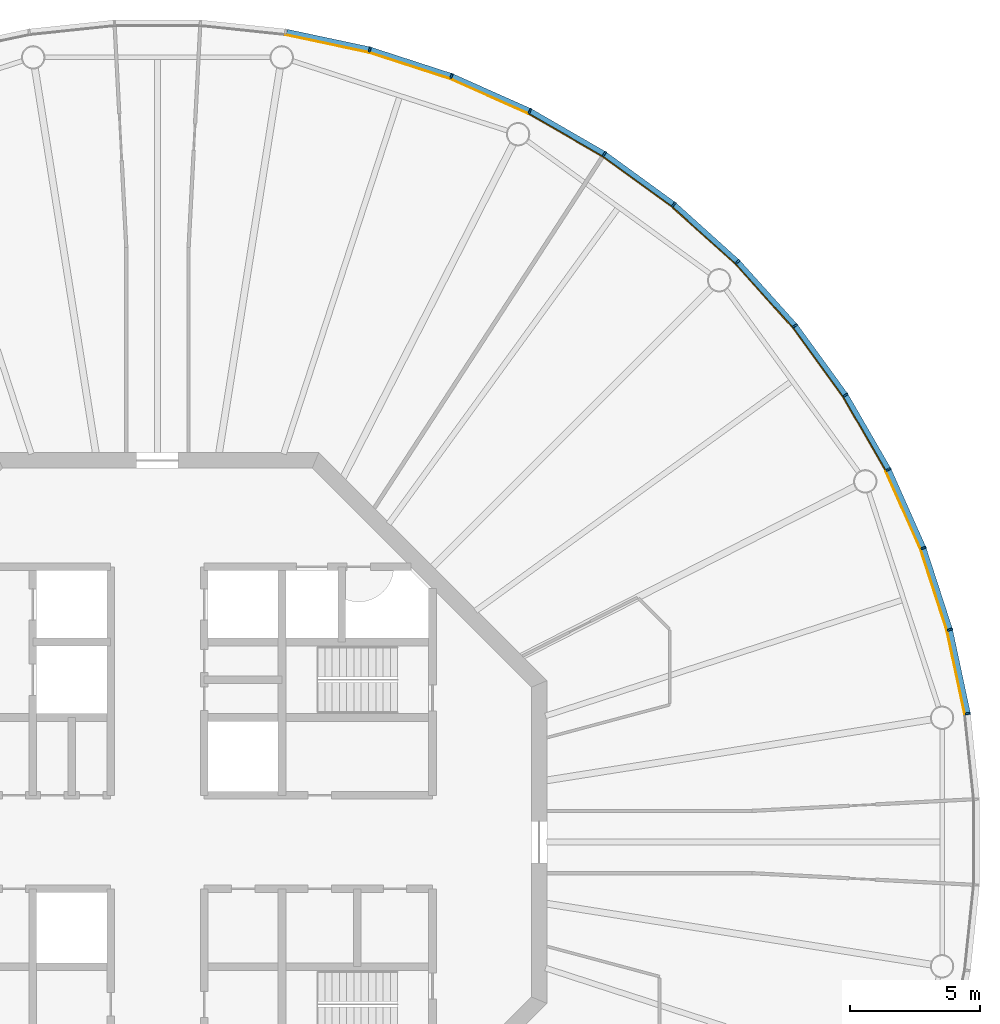
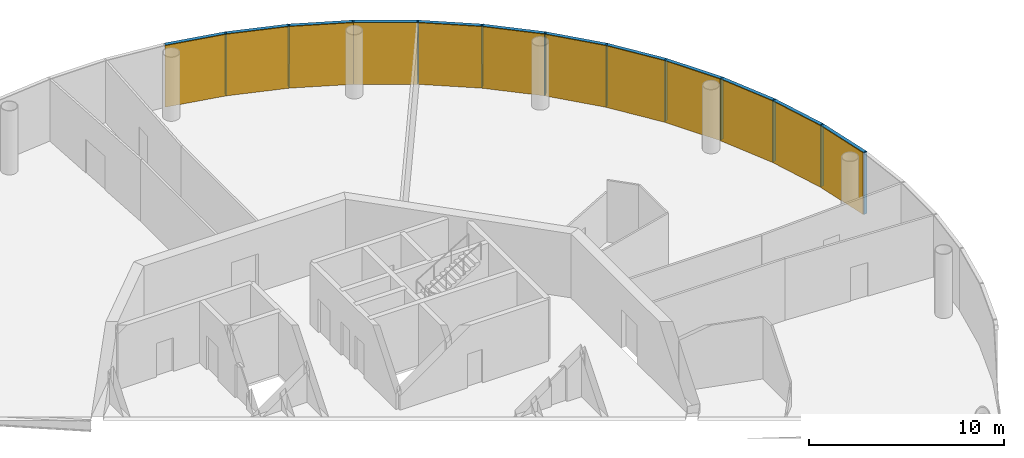
# One storey, part 12 of 13: 24 members, 4 curtain walls.
"""IFC4 building model written with IfcOpenShell, lengths in metres."""

from ifc_helpers import new_model, si_unit, direction, frame, origin, origin_2d, place, context, subcontext, project, spatial, polyline, rectangle, outline, extrude, material, layer, layer_set, material_profile, profile_set, type_object, element, aggregate, save


model = new_model("IFC4")

# Units and contexts
model_context = context("Model", 3, precision=1e-05, world=origin(), true_north=direction((0.0, 1.0)))
body_context = subcontext(model_context, "Body", "Model", "MODEL_VIEW")
ifc_project = project(units=[si_unit("LENGTHUNIT", "METRE"), si_unit("AREAUNIT", "SQUARE_METRE"), si_unit("VOLUMEUNIT", "CUBIC_METRE"), si_unit("PLANEANGLEUNIT", "RADIAN"), si_unit("MASSUNIT", "GRAM", prefix="KILO")], contexts=[model_context])

# Member
ifc_material_1 = material(Name="Anodised aluminium", Category="aluminium")
ifc_material_profile_1 = material_profile(ifc_material_1, rectangle(XDim=0.070068359375, YDim=0.205078125, at=origin_2d()), Name="Mullion 70 x 205 mm anodised aluminium")
ifc_profile_set_1 = profile_set([ifc_material_profile_1], Name="Anodised aluminium")
member_type_1 = type_object("IfcMemberType", Name="Mullion 70 x 205 mm anodised aluminium", PredefinedType="MULLION", material=ifc_profile_set_1)
site_placement = place(None, origin())
building_placement = place(site_placement, origin())
storey_placement = place(building_placement, frame((0.0, 0.0, 348.0)))
member_1_placement = place(storey_placement, frame((121.21337890625, 84.943603515625, 0.0), z_axis=(0.0, 0.0, 1.0), x_axis=(-0.15643446504, 0.987688340595, 0.0)))
member_1 = element("IfcMember", 1, at=member_1_placement, type_object=member_type_1, Name="MULLION L80-00", PredefinedType="MULLION", context=body_context, shape_type="SweptSolid", body=[
    extrude(rectangle(XDim=0.070068359375, YDim=0.205078125, at=origin_2d()), origin(), (0.0, 0.0, 1.0), 3.85009765625),
])

member_2_placement = place(storey_placement, frame((120.525634765625, 88.179443359375, 0.0), z_axis=(0.0, 0.0, 1.0), x_axis=(-0.258819045103, 0.965925826289, 0.0)))
member_2 = element("IfcMember", 2, at=member_2_placement, type_object=member_type_1, Name="MULLION L80-01", PredefinedType="MULLION", context=body_context, shape_type="SweptSolid", body=[
    extrude(rectangle(XDim=0.070068359375, YDim=0.205078125, at=origin_2d()), origin(), (0.0, 0.0, 1.0), 3.85009765625),
])

member_3_placement = place(storey_placement, frame((119.50341796875, 91.325439453125, 0.0), z_axis=(0.0, 0.0, 1.0), x_axis=(-0.358367949545, 0.933580426497, 0.0)))
member_3 = element("IfcMember", 3, at=member_3_placement, type_object=member_type_1, Name="MULLION L80-02", PredefinedType="MULLION", context=body_context, shape_type="SweptSolid", body=[
    extrude(rectangle(XDim=0.070068359375, YDim=0.205078125, at=origin_2d()), origin(), (0.0, 0.0, 1.0), 3.85009765625),
])

member_4_placement = place(storey_placement, frame((118.157958984375, 94.34716796875, 0.0), z_axis=(0.0, 0.0, 1.0), x_axis=(-0.45399049974, 0.891006524188, 0.0)))
member_4 = element("IfcMember", 4, at=member_4_placement, type_object=member_type_1, Name="MULLION L80-03", PredefinedType="MULLION", context=body_context, shape_type="SweptSolid", body=[
    extrude(rectangle(XDim=0.070068359375, YDim=0.205078125, at=origin_2d()), origin(), (0.0, 0.0, 1.0), 3.85009765625),
])

member_5_placement = place(storey_placement, frame((116.504150390625, 97.2119140625, 0.0), z_axis=(0.0, 0.0, 1.0), x_axis=(-0.544639035015, 0.838670567945, 0.0)))
member_5 = element("IfcMember", 5, at=member_5_placement, type_object=member_type_1, Name="MULLION L80-04", PredefinedType="MULLION", context=body_context, shape_type="SweptSolid", body=[
    extrude(rectangle(XDim=0.070068359375, YDim=0.205078125, at=origin_2d()), origin(), (0.0, 0.0, 1.0), 3.85009765625),
])

member_6_placement = place(storey_placement, frame((114.559814453125, 99.88818359375, 0.0), z_axis=(0.0, 0.0, 1.0), x_axis=(-0.62932039105, 0.777145961457, 0.0)))
member_6 = element("IfcMember", 6, at=member_6_placement, type_object=member_type_1, Name="MULLION L80-05", PredefinedType="MULLION", context=body_context, shape_type="SweptSolid", body=[
    extrude(rectangle(XDim=0.070068359375, YDim=0.205078125, at=origin_2d()), origin(), (0.0, 0.0, 1.0), 3.85009765625),
])

member_7_placement = place(storey_placement, frame((112.346435546875, 102.346435546875, 0.0), z_axis=(0.0, 0.0, 1.0), x_axis=(-0.707106781187, 0.707106781187, 0.0)))
member_7 = element("IfcMember", 7, at=member_7_placement, type_object=member_type_1, Name="MULLION L80-06", PredefinedType="MULLION", context=body_context, shape_type="SweptSolid", body=[
    extrude(rectangle(XDim=0.070068359375, YDim=0.205078125, at=origin_2d()), origin(), (0.0, 0.0, 1.0), 3.85009765625),
])

member_8_placement = place(storey_placement, frame((109.88818359375, 104.559814453125, 0.0), z_axis=(0.0, 0.0, 1.0), x_axis=(-0.777145961457, 0.62932039105, 0.0)))
member_8 = element("IfcMember", 8, at=member_8_placement, type_object=member_type_1, Name="MULLION L80-07", PredefinedType="MULLION", context=body_context, shape_type="SweptSolid", body=[
    extrude(rectangle(XDim=0.070068359375, YDim=0.205078125, at=origin_2d()), origin(), (0.0, 0.0, 1.0), 3.85009765625),
])

member_9_placement = place(storey_placement, frame((107.2119140625, 106.504150390625, 0.0), z_axis=(0.0, 0.0, 1.0), x_axis=(-0.838670567945, 0.544639035015, 0.0)))
member_9 = element("IfcMember", 9, at=member_9_placement, type_object=member_type_1, Name="MULLION L80-08", PredefinedType="MULLION", context=body_context, shape_type="SweptSolid", body=[
    extrude(rectangle(XDim=0.070068359375, YDim=0.205078125, at=origin_2d()), origin(), (0.0, 0.0, 1.0), 3.85009765625),
])

member_10_placement = place(storey_placement, frame((104.34716796875, 108.157958984375, 0.0), z_axis=(0.0, 0.0, 1.0), x_axis=(-0.891006524188, 0.45399049974, 0.0)))
member_10 = element("IfcMember", 10, at=member_10_placement, type_object=member_type_1, Name="MULLION L80-09", PredefinedType="MULLION", context=body_context, shape_type="SweptSolid", body=[
    extrude(rectangle(XDim=0.070068359375, YDim=0.205078125, at=origin_2d()), origin(), (0.0, 0.0, 1.0), 3.85009765625),
])

member_11_placement = place(storey_placement, frame((101.325439453125, 109.50341796875, 0.0), z_axis=(0.0, 0.0, 1.0), x_axis=(-0.933580426497, 0.358367949545, 0.0)))
member_11 = element("IfcMember", 11, at=member_11_placement, type_object=member_type_1, Name="MULLION L80-10", PredefinedType="MULLION", context=body_context, shape_type="SweptSolid", body=[
    extrude(rectangle(XDim=0.070068359375, YDim=0.205078125, at=origin_2d()), origin(), (0.0, 0.0, 1.0), 3.85009765625),
])

member_12_placement = place(storey_placement, frame((98.179443359375, 110.525634765625, 0.0), z_axis=(0.0, 0.0, 1.0), x_axis=(-0.965925826289, 0.258819045103, 0.0)))
member_12 = element("IfcMember", 12, at=member_12_placement, type_object=member_type_1, Name="MULLION L80-11", PredefinedType="MULLION", context=body_context, shape_type="SweptSolid", body=[
    extrude(rectangle(XDim=0.070068359375, YDim=0.205078125, at=origin_2d()), origin(), (0.0, 0.0, 1.0), 3.85009765625),
])

ifc_material_2 = material(Name="Anodised aluminium", Category="aluminium")
ifc_material_profile_2 = material_profile(ifc_material_2, rectangle(XDim=0.205078125, YDim=0.195068359375, at=origin_2d()), Name="Transom 195 x 205 mm anodised aluminium")
ifc_profile_set_2 = profile_set([ifc_material_profile_2], Name="Anodised aluminium")
member_type_2 = type_object("IfcMemberType", Name="Transom 195 x 205 mm anodised aluminium", PredefinedType="USERDEFINED", material=ifc_profile_set_2)
member_13_placement = place(storey_placement, frame((121.205078125, 84.983154296875, 3.75244140625), z_axis=(-0.207885898771, 0.978153082647, 0.0), x_axis=(-0.978153082647, -0.207885898771, 0.0)))
member_13 = element("IfcMember", 13, at=member_13_placement, type_object=member_type_2, Name="TRANSOM L80-00", ObjectType="TRANSOM", PredefinedType="USERDEFINED", context=body_context, shape_type="SweptSolid", body=[
    extrude(rectangle(XDim=0.205078125, YDim=0.195068359375, at=origin_2d()), origin(), (0.0, 0.0, 1.0), 3.227294921875),
])

member_14_placement = place(storey_placement, frame((120.513427734375, 88.2177734375, 3.75244140625), z_axis=(-0.309046726844, 0.951046855117, 0.0), x_axis=(-0.951046855117, -0.309046726844, 0.0)))
member_14 = element("IfcMember", 14, at=member_14_placement, type_object=member_type_2, Name="TRANSOM L80-01", ObjectType="TRANSOM", PredefinedType="USERDEFINED", context=body_context, shape_type="SweptSolid", body=[
    extrude(rectangle(XDim=0.205078125, YDim=0.195068359375, at=origin_2d()), origin(), (0.0, 0.0, 1.0), 3.22705078125),
])

member_15_placement = place(storey_placement, frame((119.4873046875, 91.3623046875, 3.75244140625), z_axis=(-0.406791170024, 0.913521178731, 0.0), x_axis=(-0.913521178731, -0.406791170024, 0.0)))
member_15 = element("IfcMember", 15, at=member_15_placement, type_object=member_type_2, Name="TRANSOM L80-02", ObjectType="TRANSOM", PredefinedType="USERDEFINED", context=body_context, shape_type="SweptSolid", body=[
    extrude(rectangle(XDim=0.205078125, YDim=0.195068359375, at=origin_2d()), origin(), (0.0, 0.0, 1.0), 3.22705078125),
])

member_16_placement = place(storey_placement, frame((118.137939453125, 94.38232421875, 3.75244140625), z_axis=(-0.500004055213, 0.866023062494, 0.0), x_axis=(-0.866023062494, -0.500004055213, 0.0)))
member_16 = element("IfcMember", 16, at=member_16_placement, type_object=member_type_2, Name="TRANSOM L80-03", ObjectType="TRANSOM", PredefinedType="USERDEFINED", context=body_context, shape_type="SweptSolid", body=[
    extrude(rectangle(XDim=0.205078125, YDim=0.195068359375, at=origin_2d()), origin(), (0.0, 0.0, 1.0), 3.22705078125),
])

member_17_placement = place(storey_placement, frame((116.48046875, 97.24462890625, 3.75244140625), z_axis=(-0.587802790201, 0.809004252048, 0.0), x_axis=(-0.809004252048, -0.587802790201, 0.0)))
member_17 = element("IfcMember", 17, at=member_17_placement, type_object=member_type_2, Name="TRANSOM L80-04", ObjectType="TRANSOM", PredefinedType="USERDEFINED", context=body_context, shape_type="SweptSolid", body=[
    extrude(rectangle(XDim=0.205078125, YDim=0.195068359375, at=origin_2d()), origin(), (0.0, 0.0, 1.0), 3.227294921875),
])

member_18_placement = place(storey_placement, frame((114.532958984375, 99.918212890625, 3.75244140625), z_axis=(-0.669144438484, 0.743132370743, 0.0), x_axis=(-0.743132370743, -0.669144438484, 0.0)))
member_18 = element("IfcMember", 18, at=member_18_placement, type_object=member_type_2, Name="TRANSOM L80-05", ObjectType="TRANSOM", PredefinedType="USERDEFINED", context=body_context, shape_type="SweptSolid", body=[
    extrude(rectangle(XDim=0.205078125, YDim=0.195068359375, at=origin_2d()), origin(), (0.0, 0.0, 1.0), 3.22705078125),
])

member_19_placement = place(storey_placement, frame((112.31640625, 102.37353515625, 3.75244140625), z_axis=(-0.743132370743, 0.669144438484, 0.0), x_axis=(-0.669144438484, -0.743132370743, 0.0)))
member_19 = element("IfcMember", 19, at=member_19_placement, type_object=member_type_2, Name="TRANSOM L80-06", ObjectType="TRANSOM", PredefinedType="USERDEFINED", context=body_context, shape_type="SweptSolid", body=[
    extrude(rectangle(XDim=0.205078125, YDim=0.195068359375, at=origin_2d()), origin(), (0.0, 0.0, 1.0), 3.22705078125),
])

member_20_placement = place(storey_placement, frame((109.85546875, 104.58349609375, 3.75244140625), z_axis=(-0.809004252048, 0.587802790201, 0.0), x_axis=(-0.587802790201, -0.809004252048, 0.0)))
member_20 = element("IfcMember", 20, at=member_20_placement, type_object=member_type_2, Name="TRANSOM L80-07", ObjectType="TRANSOM", PredefinedType="USERDEFINED", context=body_context, shape_type="SweptSolid", body=[
    extrude(rectangle(XDim=0.205078125, YDim=0.195068359375, at=origin_2d()), origin(), (0.0, 0.0, 1.0), 3.227294921875),
])

member_21_placement = place(storey_placement, frame((107.177001953125, 106.5244140625, 3.75244140625), z_axis=(-0.866023062494, 0.500004055213, 0.0), x_axis=(-0.500004055213, -0.866023062494, 0.0)))
member_21 = element("IfcMember", 21, at=member_21_placement, type_object=member_type_2, Name="TRANSOM L80-08", ObjectType="TRANSOM", PredefinedType="USERDEFINED", context=body_context, shape_type="SweptSolid", body=[
    extrude(rectangle(XDim=0.205078125, YDim=0.195068359375, at=origin_2d()), origin(), (0.0, 0.0, 1.0), 3.22705078125),
])

member_22_placement = place(storey_placement, frame((104.310302734375, 108.174560546875, 3.75244140625), z_axis=(-0.913521178731, 0.406791170024, 0.0), x_axis=(-0.406791170024, -0.913521178731, 0.0)))
member_22 = element("IfcMember", 22, at=member_22_placement, type_object=member_type_2, Name="TRANSOM L80-09", ObjectType="TRANSOM", PredefinedType="USERDEFINED", context=body_context, shape_type="SweptSolid", body=[
    extrude(rectangle(XDim=0.205078125, YDim=0.195068359375, at=origin_2d()), origin(), (0.0, 0.0, 1.0), 3.22705078125),
])

member_23_placement = place(storey_placement, frame((101.286865234375, 109.51611328125, 3.75244140625), z_axis=(-0.951046855117, 0.309046726844, 0.0), x_axis=(-0.309046726844, -0.951046855117, 0.0)))
member_23 = element("IfcMember", 23, at=member_23_placement, type_object=member_type_2, Name="TRANSOM L80-10", ObjectType="TRANSOM", PredefinedType="USERDEFINED", context=body_context, shape_type="SweptSolid", body=[
    extrude(rectangle(XDim=0.205078125, YDim=0.195068359375, at=origin_2d()), origin(), (0.0, 0.0, 1.0), 3.22705078125),
])

member_24_placement = place(storey_placement, frame((98.139892578125, 110.5341796875, 3.75244140625), z_axis=(-0.978153082647, 0.207885898771, 0.0), x_axis=(-0.207885898771, -0.978153082647, 0.0)))
member_24 = element("IfcMember", 24, at=member_24_placement, type_object=member_type_2, Name="TRANSOM L80-11", ObjectType="TRANSOM", PredefinedType="USERDEFINED", context=body_context, shape_type="SweptSolid", body=[
    extrude(rectangle(XDim=0.205078125, YDim=0.195068359375, at=origin_2d()), origin(), (0.0, 0.0, 1.0), 3.227294921875),
])

# Site, building, storey
site = spatial("IfcSite", under=ifc_project, at=site_placement, CompositionType="ELEMENT")
building = spatial("IfcBuilding", under=site, at=building_placement, Name="Entoto Ring Tower", CompositionType="ELEMENT")
storey = spatial("IfcBuildingStorey", under=building, at=storey_placement, Name="L80", CompositionType="ELEMENT", Elevation=348.0)

# Curtain wall
ifc_material_3 = material(Name="Clear low-iron glass", Category="glass")
ifc_layer = layer(ifc_material_3, 0.035888671875)
ifc_layer_set = layer_set([ifc_layer], Name="Clear low-iron glass")
curtain_wall_type = type_object("IfcCurtainWallType", Name="Curtain wall system CW6 glazing 36 mm", PredefinedType="NOTDEFINED", material=ifc_layer_set)
curtain_wall_1_placement = place(storey_placement, origin())
curtain_wall_1 = element("IfcCurtainWall", 25, at=curtain_wall_1_placement, inside=storey, type_object=curtain_wall_type, Name="CW6 L80-01", PredefinedType="NOTDEFINED", context=body_context, shape_type="SweptSolid", body=[
    extrude(outline(polyline([(121.1123046875, 84.927734375), (120.4267578125, 88.15283203125), (119.40771484375, 91.28857421875), (118.066650390625, 94.30078125), (118.03466796875, 94.284423828125), (119.3740234375, 91.275634765625), (120.391845703125, 88.1435546875), (121.07666015625, 84.922119140625), (121.1123046875, 84.927734375)])), origin(), (0.0, 0.0, 1.0), 3.85009765625),
])

aggregate(curtain_wall_1, [member_1, member_2, member_3, member_13, member_14, member_15])

curtain_wall_2_placement = place(storey_placement, origin())
curtain_wall_2 = element("IfcCurtainWall", 26, at=curtain_wall_2_placement, inside=storey, type_object=curtain_wall_type, Name="CW6 L80-02", PredefinedType="NOTDEFINED", context=body_context, shape_type="SweptSolid", body=[
    extrude(outline(polyline([(118.066650390625, 94.30078125), (116.418212890625, 97.15625), (114.47998046875, 99.823486328125), (112.27392578125, 102.27392578125), (112.248291015625, 102.248291015625), (114.4521484375, 99.801025390625), (116.387939453125, 97.136474609375), (118.03466796875, 94.284423828125), (118.066650390625, 94.30078125)])), origin(), (0.0, 0.0, 1.0), 3.85009765625),
])

aggregate(curtain_wall_2, [member_4, member_5, member_6, member_16, member_17, member_18])

curtain_wall_3_placement = place(storey_placement, origin())
curtain_wall_3 = element("IfcCurtainWall", 27, at=curtain_wall_3_placement, inside=storey, type_object=curtain_wall_type, Name="CW6 L80-03", PredefinedType="NOTDEFINED", context=body_context, shape_type="SweptSolid", body=[
    extrude(outline(polyline([(112.27392578125, 102.27392578125), (109.823486328125, 104.47998046875), (107.15625, 106.418212890625), (104.30078125, 108.066650390625), (104.284423828125, 108.03466796875), (107.136474609375, 106.387939453125), (109.801025390625, 104.4521484375), (112.248291015625, 102.248291015625), (112.27392578125, 102.27392578125)])), origin(), (0.0, 0.0, 1.0), 3.85009765625),
])

aggregate(curtain_wall_3, [member_7, member_8, member_9, member_19, member_20, member_21])

curtain_wall_4_placement = place(storey_placement, origin())
curtain_wall_4 = element("IfcCurtainWall", 28, at=curtain_wall_4_placement, inside=storey, type_object=curtain_wall_type, Name="CW6 L80-04", PredefinedType="NOTDEFINED", context=body_context, shape_type="SweptSolid", body=[
    extrude(outline(polyline([(104.30078125, 108.066650390625), (101.28857421875, 109.40771484375), (98.15283203125, 110.4267578125), (94.927734375, 111.1123046875), (94.922119140625, 111.07666015625), (98.1435546875, 110.391845703125), (101.275634765625, 109.3740234375), (104.284423828125, 108.03466796875), (104.30078125, 108.066650390625)])), origin(), (0.0, 0.0, 1.0), 3.85009765625),
])

aggregate(curtain_wall_4, [member_10, member_11, member_12, member_22, member_23, member_24])

save(model, "model.ifc")
